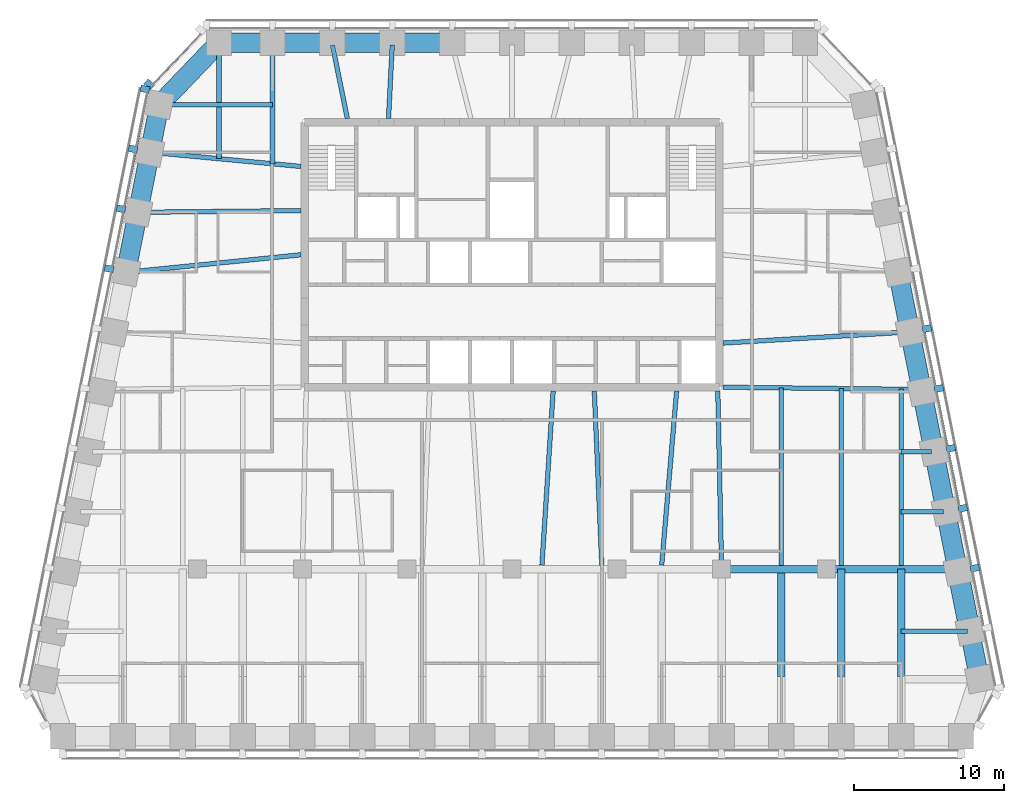
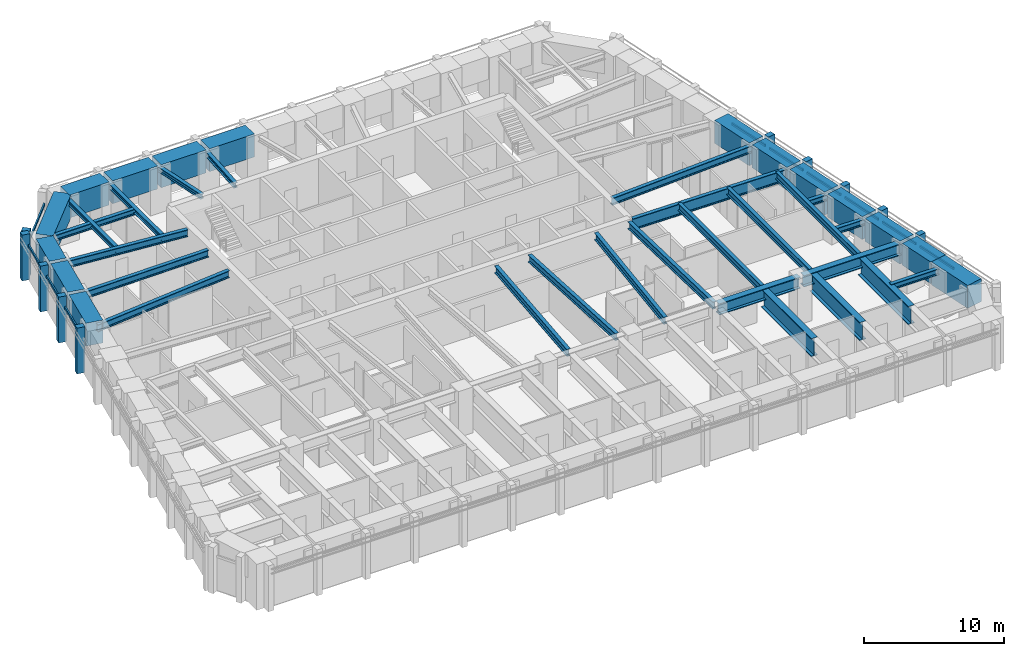
# One storey, part 3 of 12: 40 beams, 20 members, 3 elements without a shape of their own.
"""IFC4 building model written with IfcOpenShell, lengths in metres."""

from ifc_helpers import new_model, si_unit, direction, frame, origin, origin_2d, place, context, subcontext, project, spatial, rectangle, i_section, extrude, material, material_profile, profile_set, type_object, element, aggregate, save


model = new_model("IFC4")

# Units and contexts
model_context = context("Model", 3, precision=1e-05, world=origin(), true_north=direction((0.0, 1.0)))
body_context = subcontext(model_context, "Body", "Model", "MODEL_VIEW")
ifc_project = project(units=[si_unit("LENGTHUNIT", "METRE"), si_unit("AREAUNIT", "SQUARE_METRE"), si_unit("VOLUMEUNIT", "CUBIC_METRE"), si_unit("PLANEANGLEUNIT", "RADIAN"), si_unit("MASSUNIT", "GRAM", prefix="KILO")], contexts=[model_context])

# Site, building, storey
site_placement = place(None, origin())
site = spatial("IfcSite", under=ifc_project, at=site_placement, CompositionType="ELEMENT")
building_placement = place(site_placement, origin())
building = spatial("IfcBuilding", under=site, at=building_placement, Name="Isbrekke Arena Tower", CompositionType="ELEMENT")
storey_placement = place(building_placement, frame((0.0, 0.0, 256.0)))
storey = spatial("IfcBuildingStorey", under=building, at=storey_placement, Name="L59", CompositionType="ELEMENT", Elevation=256.0)

# Beams
ifc_material_1 = material(Name="Steel S355", Category="steel")
ifc_material_profile_1 = material_profile(ifc_material_1, i_section(OverallWidth=0.304931640625, OverallDepth=0.6201171875, WebThickness=0.02099609375, FlangeThickness=0.0400390625, FilletRadius=0.027099609375, at=origin_2d()), Name="HEM 600")
ifc_profile_set_1 = profile_set([ifc_material_profile_1], Name="Steel S355")
beam_type_1 = type_object("IfcBeamType", Name="B4 HEM 600", PredefinedType="BEAM", material=ifc_profile_set_1)
beam_1_placement = place(storey_placement, frame((2.000732421875, -5.740234375, 3.5400390625), z_axis=(0.064236369609, 0.997934711702, 0.0), x_axis=(-0.997934711702, 0.064236369609, 0.0)))
element("IfcBeam", 1, at=beam_1_placement, inside=storey, type_object=beam_type_1, Name="B4 beam C-M08 L59", PredefinedType="BEAM", context=body_context, shape_type="SweptSolid", body=[
    extrude(i_section(OverallWidth=0.304931640625, OverallDepth=0.6201171875, WebThickness=0.02099609375, FlangeThickness=0.0400390625, FilletRadius=0.027099609375, at=origin_2d()), origin(), (0.0, 0.0, 1.0), 11.664306640625),
])
beam_2_placement = place(storey_placement, frame((5.999755859375, -5.743408203125, 3.5400390625), z_axis=(-0.042882661228, 0.999080115589, 0.0), x_axis=(-0.999080115589, -0.042882661228, 0.0)))
element("IfcBeam", 2, at=beam_2_placement, inside=storey, type_object=beam_type_1, Name="B4 beam C-M09 L59", PredefinedType="BEAM", context=body_context, shape_type="SweptSolid", body=[
    extrude(i_section(OverallWidth=0.304931640625, OverallDepth=0.6201171875, WebThickness=0.02099609375, FlangeThickness=0.0400390625, FilletRadius=0.027099609375, at=origin_2d()), origin(), (0.0, 0.0, 1.0), 11.654052734375),
])
beam_3_placement = place(storey_placement, frame((10.001220703125, -5.737060546875, 3.5400390625), z_axis=(0.085513786118, 0.996336987361, 0.0), x_axis=(-0.996336987361, 0.085513786118, 0.0)))
element("IfcBeam", 3, at=beam_3_placement, inside=storey, type_object=beam_type_1, Name="B4 beam C-M10 L59", PredefinedType="BEAM", context=body_context, shape_type="SweptSolid", body=[
    extrude(i_section(OverallWidth=0.304931640625, OverallDepth=0.6201171875, WebThickness=0.02099609375, FlangeThickness=0.0400390625, FilletRadius=0.027099609375, at=origin_2d()), origin(), (0.0, 0.0, 1.0), 11.6796875),
])
beam_4_placement = place(storey_placement, frame((14.0, -5.8466796875, 3.5400390625), z_axis=(-0.021277968258, 0.999773598405, 0.0), x_axis=(-0.999773598405, -0.021277968258, 0.0)))
element("IfcBeam", 4, at=beam_4_placement, inside=storey, type_object=beam_type_1, Name="B4 beam C-M11 L59", PredefinedType="BEAM", context=body_context, shape_type="SweptSolid", body=[
    extrude(i_section(OverallWidth=0.304931640625, OverallDepth=0.6201171875, WebThickness=0.02099609375, FlangeThickness=0.0400390625, FilletRadius=0.027099609375, at=origin_2d()), origin(), (0.0, 0.0, 1.0), 11.749267578125),
])
beam_5_placement = place(storey_placement, frame((18.0, -5.75, 3.5400390625), z_axis=(0.0, 1.0, 0.0), x_axis=(-1.0, 0.0, 0.0)))
element("IfcBeam", 5, at=beam_5_placement, inside=storey, type_object=beam_type_1, Name="B4 beam C-M12 L59", PredefinedType="BEAM", context=body_context, shape_type="SweptSolid", body=[
    extrude(i_section(OverallWidth=0.304931640625, OverallDepth=0.6201171875, WebThickness=0.02099609375, FlangeThickness=0.0400390625, FilletRadius=0.027099609375, at=origin_2d()), origin(), (0.0, 0.0, 1.0), 11.85595703125),
])
beam_6_placement = place(storey_placement, frame((22.0, -5.75, 3.5400390625), z_axis=(0.0, 1.0, 0.0), x_axis=(-1.0, 0.0, 0.0)))
element("IfcBeam", 6, at=beam_6_placement, inside=storey, type_object=beam_type_1, Name="B4 beam C-M13 L59", PredefinedType="BEAM", context=body_context, shape_type="SweptSolid", body=[
    extrude(i_section(OverallWidth=0.304931640625, OverallDepth=0.6201171875, WebThickness=0.02099609375, FlangeThickness=0.0400390625, FilletRadius=0.027099609375, at=origin_2d()), origin(), (0.0, 0.0, 1.0), 11.810791015625),
])
beam_7_placement = place(storey_placement, frame((26.0, -5.75, 3.5400390625), z_axis=(0.0, 1.0, 0.0), x_axis=(-1.0, 0.0, 0.0)))
element("IfcBeam", 7, at=beam_7_placement, inside=storey, type_object=beam_type_1, Name="B4 beam C-M14 L59", PredefinedType="BEAM", context=body_context, shape_type="SweptSolid", body=[
    extrude(i_section(OverallWidth=0.304931640625, OverallDepth=0.6201171875, WebThickness=0.02099609375, FlangeThickness=0.0400390625, FilletRadius=0.027099609375, at=origin_2d()), origin(), (0.0, 0.0, 1.0), 11.765625),
])
beam_8_placement = place(storey_placement, frame((26.431884765625, 9.837646484375, 3.5400390625), z_axis=(-0.998216240514, -0.059702070095, 0.0), x_axis=(0.059702070095, -0.998216240514, 0.0)))
element("IfcBeam", 8, at=beam_8_placement, inside=storey, type_object=beam_type_1, Name="B4 beam E-E07 L59", PredefinedType="BEAM", context=body_context, shape_type="SweptSolid", body=[
    extrude(i_section(OverallWidth=0.304931640625, OverallDepth=0.6201171875, WebThickness=0.02099609375, FlangeThickness=0.0400390625, FilletRadius=0.027099609375, at=origin_2d()), origin(), (0.0, 0.0, 1.0), 12.353759765625),
])
beam_9_placement = place(storey_placement, frame((-24.02685546875, 21.8369140625, 3.5400390625), z_axis=(0.995574576627, -0.093974796485, 0.0), x_axis=(0.093974796485, 0.995574576627, 0.0)))
element("IfcBeam", 9, at=beam_9_placement, inside=storey, type_object=beam_type_1, Name="B4 beam E-W02 L59", PredefinedType="BEAM", context=body_context, shape_type="SweptSolid", body=[
    extrude(i_section(OverallWidth=0.304931640625, OverallDepth=0.6201171875, WebThickness=0.02099609375, FlangeThickness=0.0400390625, FilletRadius=0.027099609375, at=origin_2d()), origin(), (0.0, 0.0, 1.0), 9.970947265625),
])
beam_10_placement = place(storey_placement, frame((-24.83935546875, 17.838134765625, 3.5400390625), z_axis=(0.999945800258, 0.010411366203, 0.0), x_axis=(-0.010411366203, 0.999945800258, 0.0)))
element("IfcBeam", 10, at=beam_10_placement, inside=storey, type_object=beam_type_1, Name="B4 beam E-W03 L59", PredefinedType="BEAM", context=body_context, shape_type="SweptSolid", body=[
    extrude(i_section(OverallWidth=0.304931640625, OverallDepth=0.6201171875, WebThickness=0.02099609375, FlangeThickness=0.0400390625, FilletRadius=0.027099609375, at=origin_2d()), origin(), (0.0, 0.0, 1.0), 10.73974609375),
])
beam_11_placement = place(storey_placement, frame((-25.625732421875, 13.83984375, 3.5400390625), z_axis=(0.994972081505, 0.100152668587, 0.0), x_axis=(-0.100152668587, 0.994972081505, 0.0)))
element("IfcBeam", 11, at=beam_11_placement, inside=storey, type_object=beam_type_1, Name="B4 beam E-W04 L59", PredefinedType="BEAM", context=body_context, shape_type="SweptSolid", body=[
    extrude(i_section(OverallWidth=0.304931640625, OverallDepth=0.6201171875, WebThickness=0.02099609375, FlangeThickness=0.0400390625, FilletRadius=0.027099609375, at=origin_2d()), origin(), (0.0, 0.0, 1.0), 11.583984375),
])
ifc_material_2 = material(Name="Steel S355", Category="steel")
ifc_material_profile_2 = material_profile(ifc_material_2, i_section(OverallWidth=0.305908203125, OverallDepth=0.52392578125, WebThickness=0.02099609375, FlangeThickness=0.0400390625, FilletRadius=0.027099609375, at=origin_2d()), Name="HEM 500")
ifc_profile_set_2 = profile_set([ifc_material_profile_2], Name="Steel S355")
beam_type_2 = type_object("IfcBeamType", Name="B5 HEM 500", PredefinedType="BEAM", material=ifc_profile_set_2)
beam_12_placement = place(storey_placement, frame((30.44091796875, -10.161865234375, 3.587890625), z_axis=(-1.0, 0.0, 0.0), x_axis=(0.0, -1.0, 0.0)))
element("IfcBeam", 12, at=beam_12_placement, inside=storey, type_object=beam_type_2, Name="B5 beam E-E02 L59", PredefinedType="BEAM", context=body_context, shape_type="SweptSolid", body=[
    extrude(i_section(OverallWidth=0.305908203125, OverallDepth=0.52392578125, WebThickness=0.02099609375, FlangeThickness=0.0400390625, FilletRadius=0.027099609375, at=origin_2d()), origin(), (0.0, 0.0, 1.0), 4.44091796875),
])
beam_13_placement = place(storey_placement, frame((28.841064453125, -2.161865234375, 3.587890625), z_axis=(-1.0, 0.0, 0.0), x_axis=(0.0, -1.0, 0.0)))
element("IfcBeam", 13, at=beam_13_placement, inside=storey, type_object=beam_type_2, Name="B5 beam E-E04 L59", PredefinedType="BEAM", context=body_context, shape_type="SweptSolid", body=[
    extrude(i_section(OverallWidth=0.305908203125, OverallDepth=0.52392578125, WebThickness=0.02099609375, FlangeThickness=0.0400390625, FilletRadius=0.027099609375, at=origin_2d()), origin(), (0.0, 0.0, 1.0), 2.841064453125),
])
beam_14_placement = place(storey_placement, frame((28.041015625, 1.838134765625, 3.587890625), z_axis=(-1.0, 0.0, 0.0), x_axis=(0.0, -1.0, 0.0)))
element("IfcBeam", 14, at=beam_14_placement, inside=storey, type_object=beam_type_2, Name="B5 beam E-E05 L59", PredefinedType="BEAM", context=body_context, shape_type="SweptSolid", body=[
    extrude(i_section(OverallWidth=0.305908203125, OverallDepth=0.52392578125, WebThickness=0.02099609375, FlangeThickness=0.0400390625, FilletRadius=0.027099609375, at=origin_2d()), origin(), (0.0, 0.0, 1.0), 2.041015625),
])
beam_15_placement = place(storey_placement, frame((-23.40283203125, 25.029296875, 3.587890625), z_axis=(1.0, 0.0, 0.0), x_axis=(0.0, 1.0, 0.0)))
element("IfcBeam", 15, at=beam_15_placement, inside=storey, type_object=beam_type_2, Name="B5 beam E-W01 L59", PredefinedType="BEAM", context=body_context, shape_type="SweptSolid", body=[
    extrude(i_section(OverallWidth=0.305908203125, OverallDepth=0.52392578125, WebThickness=0.02099609375, FlangeThickness=0.0400390625, FilletRadius=0.027099609375, at=origin_2d()), origin(), (0.0, 0.0, 1.0), 7.40283203125),
])
ifc_material_3 = material(Name="Steel S355", Category="steel")
ifc_material_profile_3 = material_profile(ifc_material_3, i_section(OverallWidth=0.306884765625, OverallDepth=0.431884765625, WebThickness=0.02099609375, FlangeThickness=0.0400390625, FilletRadius=0.027099609375, at=origin_2d()), Name="HEM 400")
ifc_profile_set_3 = profile_set([ifc_material_profile_3], Name="Steel S355")
beam_type_3 = type_object("IfcBeamType", Name="B6 HEM 400", PredefinedType="BEAM", material=ifc_profile_set_3)
beam_16_placement = place(storey_placement, frame((-16.0, 29.02490234375, 3.634033203125), z_axis=(0.0, -1.0, 0.0), x_axis=(1.0, 0.0, 0.0)))
element("IfcBeam", 16, at=beam_16_placement, inside=storey, type_object=beam_type_3, Name="B6 beam N-N10 L59", PredefinedType="BEAM", context=body_context, shape_type="SweptSolid", body=[
    extrude(i_section(OverallWidth=0.306884765625, OverallDepth=0.431884765625, WebThickness=0.02099609375, FlangeThickness=0.0400390625, FilletRadius=0.027099609375, at=origin_2d()), origin(), (0.0, 0.0, 1.0), 7.945556640625),
])
beam_17_placement = place(storey_placement, frame((-19.574951171875, 29.02490234375, 3.634033203125), z_axis=(0.0, -1.0, 0.0), x_axis=(1.0, 0.0, 0.0)))
element("IfcBeam", 17, at=beam_17_placement, inside=storey, type_object=beam_type_3, Name="B6 beam N-N11 L59", PredefinedType="BEAM", context=body_context, shape_type="SweptSolid", body=[
    extrude(i_section(OverallWidth=0.306884765625, OverallDepth=0.431884765625, WebThickness=0.02099609375, FlangeThickness=0.0400390625, FilletRadius=0.027099609375, at=origin_2d()), origin(), (0.0, 0.0, 1.0), 7.608154296875),
])
beam_18_placement = place(storey_placement, frame((-8.00048828125, 29.017333984375, 3.634033203125), z_axis=(-0.050677067868, -0.998715091902, 0.0), x_axis=(0.998715091902, -0.050677067868, 0.0)))
element("IfcBeam", 18, at=beam_18_placement, inside=storey, type_object=beam_type_3, Name="B6 beam N-N08 L59", PredefinedType="BEAM", context=body_context, shape_type="SweptSolid", body=[
    extrude(i_section(OverallWidth=0.306884765625, OverallDepth=0.431884765625, WebThickness=0.02099609375, FlangeThickness=0.0400390625, FilletRadius=0.027099609375, at=origin_2d()), origin(), (0.0, 0.0, 1.0), 4.923583984375),
])
beam_19_placement = place(storey_placement, frame((-11.993896484375, 28.9951171875, 3.634033203125), z_axis=(0.198982177337, -0.980003108721, 0.0), x_axis=(0.980003108721, 0.198982177337, 0.0)))
element("IfcBeam", 19, at=beam_19_placement, inside=storey, type_object=beam_type_3, Name="B6 beam N-N09 L59", PredefinedType="BEAM", context=body_context, shape_type="SweptSolid", body=[
    extrude(i_section(OverallWidth=0.306884765625, OverallDepth=0.431884765625, WebThickness=0.02099609375, FlangeThickness=0.0400390625, FilletRadius=0.027099609375, at=origin_2d()), origin(), (0.0, 0.0, 1.0), 4.994873046875),
])

# Curtain wall, members
ifc_material_4 = material(Name="Glazed aluminium curtain wall", Category="aluminium")
curtain_wall_type = type_object("IfcCurtainWallType", Name="CWT TOWER CURTAIN WALL TOP ZONE", PredefinedType="USERDEFINED", material=ifc_material_4)
curtain_wall_1_placement = place(storey_placement, origin())
curtain_wall_1 = element("IfcCurtainWall", 20, at=curtain_wall_1_placement, inside=storey, type_object=curtain_wall_type, Name="CWT curtain wall L59-E", ObjectType="TOWER CURTAIN WALL TOP ZONE", PredefinedType="USERDEFINED")
ifc_material_5 = material(Name="Copper-clad aluminium mullion", Category="aluminium")
ifc_material_profile_4 = material_profile(ifc_material_5, rectangle(XDim=0.449951171875, YDim=0.60009765625, at=origin_2d()), Name="PIER 450X600")
ifc_profile_set_4 = profile_set([ifc_material_profile_4], Name="Copper-clad aluminium mullion")
member_type_1 = type_object("IfcMemberType", Name="CWT-M PIER MULLION 450 x 600", PredefinedType="MULLION", material=ifc_profile_set_4)
member_1_placement = place(storey_placement, frame((30.918701171875, -5.936279296875, 0.0), z_axis=(0.0, 0.0, 1.0), x_axis=(-0.196116135138, 0.980580675691, 0.0)))
member_1 = element("IfcMember", 21, at=member_1_placement, type_object=member_type_1, Name="CWT-M mullion 3", PredefinedType="MULLION", context=body_context, shape_type="SweptSolid", body=[
    extrude(rectangle(XDim=0.449951171875, YDim=0.60009765625, at=origin_2d()), origin(), (0.0, 0.0, 1.0), 4.0),
])
member_2_placement = place(storey_placement, frame((30.11865234375, -1.936279296875, 0.0), z_axis=(0.0, 0.0, 1.0), x_axis=(-0.196116135138, 0.980580675691, 0.0)))
member_2 = element("IfcMember", 22, at=member_2_placement, type_object=member_type_1, Name="CWT-M mullion 4", PredefinedType="MULLION", context=body_context, shape_type="SweptSolid", body=[
    extrude(rectangle(XDim=0.449951171875, YDim=0.60009765625, at=origin_2d()), origin(), (0.0, 0.0, 1.0), 4.0),
])
member_3_placement = place(storey_placement, frame((29.318603515625, 2.063720703125, 0.0), z_axis=(0.0, 0.0, 1.0), x_axis=(-0.196116135138, 0.980580675691, 0.0)))
member_3 = element("IfcMember", 23, at=member_3_placement, type_object=member_type_1, Name="CWT-M mullion 5", PredefinedType="MULLION", context=body_context, shape_type="SweptSolid", body=[
    extrude(rectangle(XDim=0.449951171875, YDim=0.60009765625, at=origin_2d()), origin(), (0.0, 0.0, 1.0), 4.0),
])
member_4_placement = place(storey_placement, frame((28.518798828125, 6.063720703125, 0.0), z_axis=(0.0, 0.0, 1.0), x_axis=(-0.196116135138, 0.980580675691, 0.0)))
member_4 = element("IfcMember", 24, at=member_4_placement, type_object=member_type_1, Name="CWT-M mullion 6", PredefinedType="MULLION", context=body_context, shape_type="SweptSolid", body=[
    extrude(rectangle(XDim=0.449951171875, YDim=0.60009765625, at=origin_2d()), origin(), (0.0, 0.0, 1.0), 4.0),
])
member_5_placement = place(storey_placement, frame((27.71875, 10.063720703125, 0.0), z_axis=(0.0, 0.0, 1.0), x_axis=(-0.196116135138, 0.980580675691, 0.0)))
member_5 = element("IfcMember", 25, at=member_5_placement, type_object=member_type_1, Name="CWT-M mullion 7", PredefinedType="MULLION", context=body_context, shape_type="SweptSolid", body=[
    extrude(rectangle(XDim=0.449951171875, YDim=0.60009765625, at=origin_2d()), origin(), (0.0, 0.0, 1.0), 4.0),
])

# Curtain wall, member
curtain_wall_2_placement = place(storey_placement, origin())
curtain_wall_2 = element("IfcCurtainWall", 26, at=curtain_wall_2_placement, inside=storey, type_object=curtain_wall_type, Name="CWT curtain wall L59-NW", ObjectType="TOWER CURTAIN WALL TOP ZONE", PredefinedType="USERDEFINED")
member_6_placement = place(storey_placement, frame((-24.243896484375, 26.389404296875, 0.0), z_axis=(0.0, 0.0, 1.0), x_axis=(-0.68874946192, -0.72499943359, 0.0)))
member_6 = element("IfcMember", 27, at=member_6_placement, type_object=member_type_1, Name="CWT-M mullion 2", PredefinedType="MULLION", context=body_context, shape_type="SweptSolid", body=[
    extrude(rectangle(XDim=0.449951171875, YDim=0.60009765625, at=origin_2d()), origin(), (0.0, 0.0, 1.0), 4.0),
])

# Curtain wall, members
curtain_wall_3_placement = place(storey_placement, origin())
curtain_wall_3 = element("IfcCurtainWall", 28, at=curtain_wall_3_placement, inside=storey, type_object=curtain_wall_type, Name="CWT curtain wall L59-W", ObjectType="TOWER CURTAIN WALL TOP ZONE", PredefinedType="USERDEFINED")
member_7_placement = place(storey_placement, frame((-24.518798828125, 26.063720703125, 0.0), z_axis=(0.0, 0.0, 1.0), x_axis=(-0.196116135138, -0.980580675691, 0.0)))
member_7 = element("IfcMember", 29, at=member_7_placement, type_object=member_type_1, Name="CWT-M mullion 1", PredefinedType="MULLION", context=body_context, shape_type="SweptSolid", body=[
    extrude(rectangle(XDim=0.449951171875, YDim=0.60009765625, at=origin_2d()), origin(), (0.0, 0.0, 1.0), 4.0),
])
member_8_placement = place(storey_placement, frame((-25.318603515625, 22.063720703125, 0.0), z_axis=(0.0, 0.0, 1.0), x_axis=(-0.196116135138, -0.980580675691, 0.0)))
member_8 = element("IfcMember", 30, at=member_8_placement, type_object=member_type_1, Name="CWT-M mullion 2", PredefinedType="MULLION", context=body_context, shape_type="SweptSolid", body=[
    extrude(rectangle(XDim=0.449951171875, YDim=0.60009765625, at=origin_2d()), origin(), (0.0, 0.0, 1.0), 4.0),
])
member_9_placement = place(storey_placement, frame((-26.11865234375, 18.063720703125, 0.0), z_axis=(0.0, 0.0, 1.0), x_axis=(-0.196116135138, -0.980580675691, 0.0)))
member_9 = element("IfcMember", 31, at=member_9_placement, type_object=member_type_1, Name="CWT-M mullion 3", PredefinedType="MULLION", context=body_context, shape_type="SweptSolid", body=[
    extrude(rectangle(XDim=0.449951171875, YDim=0.60009765625, at=origin_2d()), origin(), (0.0, 0.0, 1.0), 4.0),
])
member_10_placement = place(storey_placement, frame((-26.918701171875, 14.063720703125, 0.0), z_axis=(0.0, 0.0, 1.0), x_axis=(-0.196116135138, -0.980580675691, 0.0)))
member_10 = element("IfcMember", 32, at=member_10_placement, type_object=member_type_1, Name="CWT-M mullion 4", PredefinedType="MULLION", context=body_context, shape_type="SweptSolid", body=[
    extrude(rectangle(XDim=0.449951171875, YDim=0.60009765625, at=origin_2d()), origin(), (0.0, 0.0, 1.0), 4.0),
])

# Member
ifc_material_6 = material(Name="Aluminium transom", Category="aluminium")
ifc_material_profile_5 = material_profile(ifc_material_6, rectangle(XDim=0.1201171875, YDim=0.199951171875, at=origin_2d()), Name="TRANSOM 120X200")
ifc_profile_set_5 = profile_set([ifc_material_profile_5], Name="Aluminium transom")
member_type_2 = type_object("IfcMemberType", Name="CWT-T TRANSOM 120 x 200", PredefinedType="USERDEFINED", material=ifc_profile_set_5)
member_11_placement = place(storey_placement, frame((31.478515625, -9.7548828125, 3.0), z_axis=(-0.196154943734, 0.980572913173, 0.0), x_axis=(-0.980572913173, -0.196154943734, 0.0)))
member_11 = element("IfcMember", 33, at=member_11_placement, type_object=member_type_2, Name="CWT-T transom 2", ObjectType="TRANSOM", PredefinedType="USERDEFINED", context=body_context, shape_type="SweptSolid", body=[
    extrude(rectangle(XDim=0.1201171875, YDim=0.199951171875, at=origin_2d()), origin(), (0.0, 0.0, 1.0), 3.62939453125),
])

member_12_placement = place(storey_placement, frame((30.678466796875, -5.7548828125, 3.0), z_axis=(-0.196090262229, 0.980585849918, 0.0), x_axis=(-0.980585849918, -0.196090262229, 0.0)))
member_12 = element("IfcMember", 34, at=member_12_placement, type_object=member_type_2, Name="CWT-T transom 3", ObjectType="TRANSOM", PredefinedType="USERDEFINED", context=body_context, shape_type="SweptSolid", body=[
    extrude(rectangle(XDim=0.1201171875, YDim=0.199951171875, at=origin_2d()), origin(), (0.0, 0.0, 1.0), 3.62939453125),
])

member_13_placement = place(storey_placement, frame((29.87841796875, -1.7548828125, 3.0), z_axis=(-0.196090262229, 0.980585849918, 0.0), x_axis=(-0.980585849918, -0.196090262229, 0.0)))
member_13 = element("IfcMember", 35, at=member_13_placement, type_object=member_type_2, Name="CWT-T transom 4", ObjectType="TRANSOM", PredefinedType="USERDEFINED", context=body_context, shape_type="SweptSolid", body=[
    extrude(rectangle(XDim=0.1201171875, YDim=0.199951171875, at=origin_2d()), origin(), (0.0, 0.0, 1.0), 3.62939453125),
])

member_14_placement = place(storey_placement, frame((29.078369140625, 2.2451171875, 3.0), z_axis=(-0.196090262229, 0.980585849918, 0.0), x_axis=(-0.980585849918, -0.196090262229, 0.0)))
member_14 = element("IfcMember", 36, at=member_14_placement, type_object=member_type_2, Name="CWT-T transom 5", ObjectType="TRANSOM", PredefinedType="USERDEFINED", context=body_context, shape_type="SweptSolid", body=[
    extrude(rectangle(XDim=0.1201171875, YDim=0.199951171875, at=origin_2d()), origin(), (0.0, 0.0, 1.0), 3.62939453125),
])

member_15_placement = place(storey_placement, frame((28.278564453125, 6.2451171875, 3.0), z_axis=(-0.196154943734, 0.980572913173, 0.0), x_axis=(-0.980572913173, -0.196154943734, 0.0)))
member_15 = element("IfcMember", 37, at=member_15_placement, type_object=member_type_2, Name="CWT-T transom 6", ObjectType="TRANSOM", PredefinedType="USERDEFINED", context=body_context, shape_type="SweptSolid", body=[
    extrude(rectangle(XDim=0.1201171875, YDim=0.199951171875, at=origin_2d()), origin(), (0.0, 0.0, 1.0), 3.62939453125),
])

member_16_placement = place(storey_placement, frame((27.478515625, 10.2451171875, 3.0), z_axis=(-0.196154943734, 0.980572913173, 0.0), x_axis=(-0.980572913173, -0.196154943734, 0.0)))
member_16 = element("IfcMember", 38, at=member_16_placement, type_object=member_type_2, Name="CWT-T transom 7", ObjectType="TRANSOM", PredefinedType="USERDEFINED", context=body_context, shape_type="SweptSolid", body=[
    extrude(rectangle(XDim=0.1201171875, YDim=0.199951171875, at=origin_2d()), origin(), (0.0, 0.0, 1.0), 3.62939453125),
])

aggregate(curtain_wall_1, [member_1, member_2, member_3, member_4, member_5, member_11, member_12, member_13, member_14, member_15, member_16])

member_17_placement = place(storey_placement, frame((-20.80517578125, 29.71875, 3.0), z_axis=(-0.688739606035, -0.725008796552, 0.0), x_axis=(0.725008796552, -0.688739606035, 0.0)))
member_17 = element("IfcMember", 39, at=member_17_placement, type_object=member_type_2, Name="CWT-T transom 1", ObjectType="TRANSOM", PredefinedType="USERDEFINED", context=body_context, shape_type="SweptSolid", body=[
    extrude(rectangle(XDim=0.1201171875, YDim=0.199951171875, at=origin_2d()), origin(), (0.0, 0.0, 1.0), 4.55712890625),
])

aggregate(curtain_wall_2, [member_6, member_17])

member_18_placement = place(storey_placement, frame((-24.36669921875, 25.803955078125, 3.0), z_axis=(-0.196090262229, -0.980585849918, 0.0), x_axis=(0.980585849918, -0.196090262229, 0.0)))
member_18 = element("IfcMember", 40, at=member_18_placement, type_object=member_type_2, Name="CWT-T transom 1", ObjectType="TRANSOM", PredefinedType="USERDEFINED", context=body_context, shape_type="SweptSolid", body=[
    extrude(rectangle(XDim=0.1201171875, YDim=0.199951171875, at=origin_2d()), origin(), (0.0, 0.0, 1.0), 3.62939453125),
])

member_19_placement = place(storey_placement, frame((-25.166748046875, 21.803955078125, 3.0), z_axis=(-0.196090262229, -0.980585849918, 0.0), x_axis=(0.980585849918, -0.196090262229, 0.0)))
member_19 = element("IfcMember", 41, at=member_19_placement, type_object=member_type_2, Name="CWT-T transom 2", ObjectType="TRANSOM", PredefinedType="USERDEFINED", context=body_context, shape_type="SweptSolid", body=[
    extrude(rectangle(XDim=0.1201171875, YDim=0.199951171875, at=origin_2d()), origin(), (0.0, 0.0, 1.0), 3.62939453125),
])

member_20_placement = place(storey_placement, frame((-25.966796875, 17.803955078125, 3.0), z_axis=(-0.196090262229, -0.980585849918, 0.0), x_axis=(0.980585849918, -0.196090262229, 0.0)))
member_20 = element("IfcMember", 42, at=member_20_placement, type_object=member_type_2, Name="CWT-T transom 3", ObjectType="TRANSOM", PredefinedType="USERDEFINED", context=body_context, shape_type="SweptSolid", body=[
    extrude(rectangle(XDim=0.1201171875, YDim=0.199951171875, at=origin_2d()), origin(), (0.0, 0.0, 1.0), 3.62939453125),
])

aggregate(curtain_wall_3, [member_7, member_8, member_9, member_10, member_18, member_19, member_20])

# Beams
ifc_material_7 = material(Name="Steel S355", Category="steel")
ifc_material_profile_6 = material_profile(ifc_material_7, i_section(OverallWidth=0.302001953125, OverallDepth=1.008056640625, WebThickness=0.02099609375, FlangeThickness=0.0400390625, FilletRadius=0.030029296875, at=origin_2d()), Name="HEM 1000")
ifc_profile_set_6 = profile_set([ifc_material_profile_6], Name="Steel S355")
beam_type_4 = type_object("IfcBeamType", Name="G2 HEM 1000", PredefinedType="BEAM", material=ifc_profile_set_6)
beam_20_placement = place(storey_placement, frame((14.10009765625, 6.14990234375, 3.345947265625), z_axis=(0.999936387749, -0.011279204565, 0.0), x_axis=(0.011279204565, 0.999936387749, 0.0)))
element("IfcBeam", 43, at=beam_20_placement, inside=storey, type_object=beam_type_4, Name="G2 beam G2-E L59", PredefinedType="BEAM", context=body_context, shape_type="SweptSolid", body=[
    extrude(i_section(OverallWidth=0.302001953125, OverallDepth=1.008056640625, WebThickness=0.02099609375, FlangeThickness=0.0400390625, FilletRadius=0.030029296875, at=origin_2d()), origin(), (0.0, 0.0, 1.0), 13.2900390625),
])
ifc_material_8 = material(Name="Steel S355", Category="steel")
ifc_material_profile_7 = material_profile(ifc_material_8, i_section(OverallWidth=0.5, OverallDepth=1.0, WebThickness=0.0400390625, FlangeThickness=0.06005859375, at=origin_2d()), Name="PG 1000x500")
ifc_profile_set_7 = profile_set([ifc_material_profile_7], Name="Steel S355")
beam_type_5 = type_object("IfcBeamType", Name="G4 PG 1000x500", PredefinedType="BEAM", material=ifc_profile_set_7)
beam_21_placement = place(storey_placement, frame((14.14990234375, -6.0, 3.35009765625), z_axis=(1.0, 0.0, 0.0), x_axis=(0.0, 1.0, 0.0)))
element("IfcBeam", 44, at=beam_21_placement, inside=storey, type_object=beam_type_5, Name="G4 beam G1-07 L59", PredefinedType="BEAM", context=body_context, shape_type="SweptSolid", body=[
    extrude(i_section(OverallWidth=0.5, OverallDepth=1.0, WebThickness=0.0400390625, FlangeThickness=0.06005859375, at=origin_2d()), origin(), (0.0, 0.0, 1.0), 6.7001953125),
])
beam_22_placement = place(storey_placement, frame((21.14990234375, -6.0, 3.35009765625), z_axis=(1.0, 0.0, 0.0), x_axis=(0.0, 1.0, 0.0)))
element("IfcBeam", 45, at=beam_22_placement, inside=storey, type_object=beam_type_5, Name="G4 beam G1-08 L59", PredefinedType="BEAM", context=body_context, shape_type="SweptSolid", body=[
    extrude(i_section(OverallWidth=0.5, OverallDepth=1.0, WebThickness=0.0400390625, FlangeThickness=0.06005859375, at=origin_2d()), origin(), (0.0, 0.0, 1.0), 8.64111328125),
])
ifc_material_9 = material(Name="Concrete B55 (C55/67)", Category="concrete")
ifc_material_profile_8 = material_profile(ifc_material_9, rectangle(XDim=1.300048828125, YDim=2.0, at=origin_2d()), Name="RC 1300x2000")
ifc_profile_set_8 = profile_set([ifc_material_profile_8], Name="Concrete B55 (C55/67)")
beam_type_6 = type_object("IfcBeamType", Name="SB4 RC 1300 x 2000", PredefinedType="SPANDREL", material=ifc_profile_set_8)
beam_23_placement = place(storey_placement, frame((31.19970703125, -13.205810546875, 3.0), z_axis=(-0.196092237713, 0.980585454873, 0.0), x_axis=(-0.980585454873, -0.196092237713, 0.0)))
element("IfcBeam", 46, at=beam_23_placement, inside=storey, type_object=beam_type_6, Name="SB4 spandrel E01-E02 L59", PredefinedType="SPANDREL", context=body_context, shape_type="SweptSolid", body=[
    extrude(rectangle(XDim=1.300048828125, YDim=2.0, at=origin_2d()), origin(), (0.0, 0.0, 1.0), 3.92919921875),
])
for number, where, z_axis, x_axis, name in (
    (47, (29.76171875, -6.0146484375, 3.0), (-0.196128558387, 0.980578190959, 0.0), (-0.980578190959, -0.196128558387, 0.0), "SB4 spandrel E03-E04 L59"),
    (48, (28.961669921875, -2.0146484375, 3.0), (-0.196128558387, 0.980578190959, 0.0), (-0.980578190959, -0.196128558387, 0.0), "SB4 spandrel E04-E05 L59"),
    (49, (28.16162109375, 1.9853515625, 3.0), (-0.196128558387, 0.980578190959, 0.0), (-0.980578190959, -0.196128558387, 0.0), "SB4 spandrel E05-E06 L59"),
    (50, (27.361572265625, 5.9853515625, 3.0), (-0.196128558387, 0.980578190959, 0.0), (-0.980578190959, -0.196128558387, 0.0), "SB4 spandrel E06-E07 L59"),
):
    element("IfcBeam", number, at=place(storey_placement, frame(where, z_axis=z_axis, x_axis=x_axis)), inside=storey, type_object=beam_type_6, Name=name, PredefinedType="SPANDREL", context=body_context, shape_type="SweptSolid", body=[
        extrude(rectangle(XDim=1.300048828125, YDim=2.0, at=origin_2d()), origin(), (0.0, 0.0, 1.0), 3.779296875),
    ])
beam_24_placement = place(storey_placement, frame((26.5615234375, 9.9853515625, 3.0), z_axis=(-0.1960664412, 0.980590613169, 0.0), x_axis=(-0.980590613169, -0.1960664412, 0.0)))
element("IfcBeam", 51, at=beam_24_placement, inside=storey, type_object=beam_type_6, Name="SB4 spandrel E07-E08 L59", PredefinedType="SPANDREL", context=body_context, shape_type="SweptSolid", body=[
    extrude(rectangle(XDim=1.300048828125, YDim=2.0, at=origin_2d()), origin(), (0.0, 0.0, 1.0), 3.779052734375),
])
for number, where, z_axis, x_axis, name in (
    (52, (-4.14990234375, 29.175048828125, 3.0), (-1.0, 0.0, 0.0), (0.0, -1.0, 0.0), "SB4 spandrel N07-N08 L59"),
    (53, (-8.14990234375, 29.175048828125, 3.0), (-1.0, 0.0, 0.0), (0.0, -1.0, 0.0), "SB4 spandrel N08-N09 L59"),
    (54, (-12.14990234375, 29.175048828125, 3.0), (-1.0, 0.0, 0.0), (0.0, -1.0, 0.0), "SB4 spandrel N09-N10 L59"),
):
    element("IfcBeam", number, at=place(storey_placement, frame(where, z_axis=z_axis, x_axis=x_axis)), inside=storey, type_object=beam_type_6, Name=name, PredefinedType="SPANDREL", context=body_context, shape_type="SweptSolid", body=[
        extrude(rectangle(XDim=1.300048828125, YDim=2.0, at=origin_2d()), origin(), (0.0, 0.0, 1.0), 3.7001953125),
    ])
beam_25_placement = place(storey_placement, frame((-16.14990234375, 29.175048828125, 3.0), z_axis=(-1.0, 0.0, 0.0), x_axis=(0.0, -1.0, 0.0)))
element("IfcBeam", 55, at=beam_25_placement, inside=storey, type_object=beam_type_6, Name="SB4 spandrel N10-N11 L59", PredefinedType="SPANDREL", context=body_context, shape_type="SweptSolid", body=[
    extrude(rectangle(XDim=1.300048828125, YDim=2.0, at=origin_2d()), origin(), (0.0, 0.0, 1.0), 3.275146484375),
])
beam_26_placement = place(storey_placement, frame((-19.678955078125, 29.066650390625, 3.0), z_axis=(-0.692339547635, -0.721571861134, 0.0), x_axis=(0.721571861134, -0.692339547635, 0.0)))
element("IfcBeam", 56, at=beam_26_placement, inside=storey, type_object=beam_type_6, Name="SB4 spandrel N11-W01 L59", PredefinedType="SPANDREL", context=body_context, shape_type="SweptSolid", body=[
    extrude(rectangle(XDim=1.300048828125, YDim=2.0, at=origin_2d()), origin(), (0.0, 0.0, 1.0), 5.4453125),
])
beam_27_placement = place(storey_placement, frame((-23.582275390625, 24.882080078125, 3.0), z_axis=(-0.196116135138, -0.980580675691, 0.0), x_axis=(0.980580675691, -0.196116135138, 0.0)))
element("IfcBeam", 57, at=beam_27_placement, inside=storey, type_object=beam_type_6, Name="SB4 spandrel W01-W02 L59", PredefinedType="SPANDREL", context=body_context, shape_type="SweptSolid", body=[
    extrude(rectangle(XDim=1.300048828125, YDim=2.0, at=origin_2d()), origin(), (0.0, 0.0, 1.0), 2.9541015625),
])
for number, where, z_axis, x_axis, name in (
    (58, (-24.220458984375, 21.691162109375, 3.0), (-0.196128558387, -0.980578190959, 0.0), (0.980578190959, -0.196128558387, 0.0), "SB4 spandrel W02-W03 L59"),
    (59, (-25.0205078125, 17.691162109375, 3.0), (-0.196128558387, -0.980578190959, 0.0), (0.980578190959, -0.196128558387, 0.0), "SB4 spandrel W03-W04 L59"),
):
    element("IfcBeam", number, at=place(storey_placement, frame(where, z_axis=z_axis, x_axis=x_axis)), inside=storey, type_object=beam_type_6, Name=name, PredefinedType="SPANDREL", context=body_context, shape_type="SweptSolid", body=[
        extrude(rectangle(XDim=1.300048828125, YDim=2.0, at=origin_2d()), origin(), (0.0, 0.0, 1.0), 3.779296875),
    ])
ifc_material_10 = material(Name="Concrete B55 (C55/67)", Category="concrete")
ifc_material_profile_9 = material_profile(ifc_material_10, rectangle(XDim=1.39990234375, YDim=1.89990234375, at=origin_2d()), Name="RC 1400 x 1900")
ifc_profile_set_9 = profile_set([ifc_material_profile_9], Name="Concrete B55 (C55/67)")
beam_type_7 = type_object("IfcBeamType", Name="SB5 RC 1400  x  1900", PredefinedType="SPANDREL", material=ifc_profile_set_9)
beam_28_placement = place(storey_placement, frame((30.42919921875, -9.352783203125, 3.050048828125), z_axis=(-0.196070760782, 0.98058974947, 0.0), x_axis=(-0.98058974947, -0.196070760782, 0.0)))
element("IfcBeam", 60, at=beam_28_placement, inside=storey, type_object=beam_type_7, Name="SB5 spandrel E02-E03 L59", PredefinedType="SPANDREL", context=body_context, shape_type="SweptSolid", body=[
    extrude(rectangle(XDim=1.39990234375, YDim=1.89990234375, at=origin_2d()), origin(), (0.0, 0.0, 1.0), 3.104248046875),
])
ifc_material_11 = material(Name="Steel S355", Category="steel")
ifc_material_profile_10 = material_profile(ifc_material_11, i_section(OverallWidth=0.5, OverallDepth=1.60009765625, WebThickness=0.030029296875, FlangeThickness=0.06005859375, at=origin_2d()), Name="PG 1600x500")
ifc_profile_set_10 = profile_set([ifc_material_profile_10], Name="Steel S355")
beam_type_8 = type_object("IfcBeamType", Name="TG1 PG 1600x500", PredefinedType="BEAM", material=ifc_profile_set_10)
for number, where, z_axis, x_axis, name in (
    (61, (18.0, -13.175048828125, 2.949951171875), (0.0, 1.0, 0.0), (-1.0, 0.0, 0.0), "TG1 transfer girder S-S13 L59 part 2"),
    (62, (22.0, -13.175048828125, 2.949951171875), (0.0, 1.0, 0.0), (-1.0, 0.0, 0.0), "TG1 transfer girder S-S14 L59 part 2"),
    (63, (26.0, -13.175048828125, 2.949951171875), (0.0, 1.0, 0.0), (-1.0, 0.0, 0.0), "TG1 transfer girder S-S15 L59 part 2"),
):
    element("IfcBeam", number, at=place(storey_placement, frame(where, z_axis=z_axis, x_axis=x_axis)), inside=storey, type_object=beam_type_8, Name=name, PredefinedType="BEAM", context=body_context, shape_type="SweptSolid", body=[
        extrude(i_section(OverallWidth=0.5, OverallDepth=1.60009765625, WebThickness=0.030029296875, FlangeThickness=0.06005859375, at=origin_2d()), origin(), (0.0, 0.0, 1.0), 7.175048828125),
    ])

save(model, "model.ifc")
